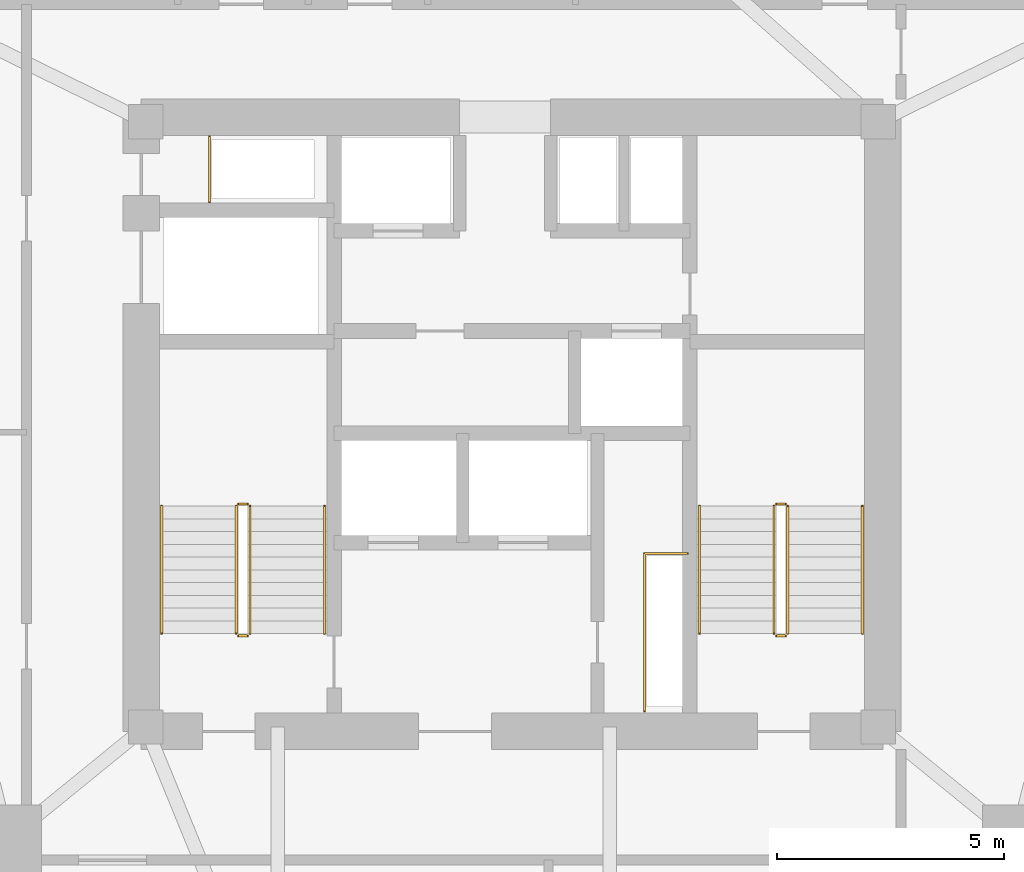
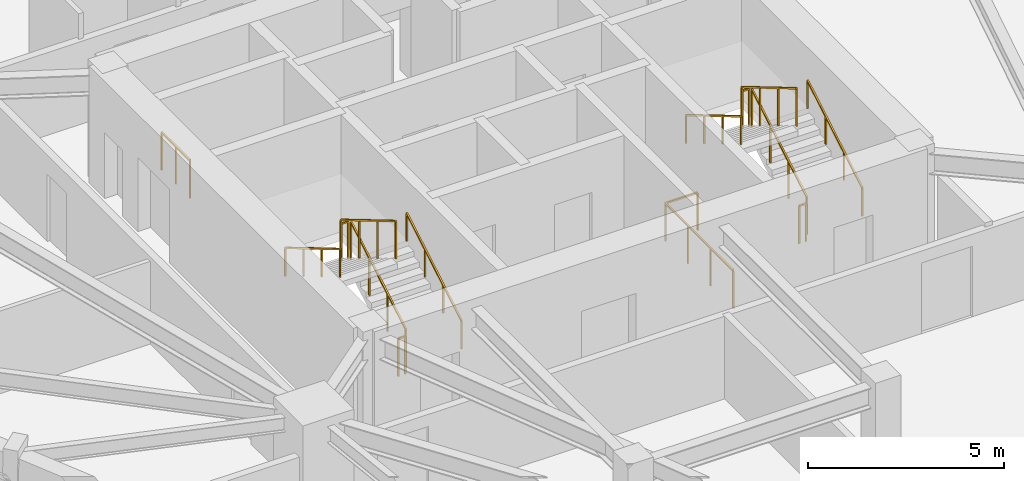
# One storey, part 14 of 14: 14 railings.
"""IFC4 building model written with IfcOpenShell, lengths in metres."""

from ifc_helpers import new_model, si_unit, direction, frame, origin, origin_2d, place, context, subcontext, project, spatial, rectangle, extrude, material, type_object, element, save


model = new_model("IFC4")

# Units and contexts
model_context = context("Model", 3, precision=1e-05, world=origin(), true_north=direction((0.0, 1.0)))
body_context = subcontext(model_context, "Body", "Model", "MODEL_VIEW")
ifc_project = project(units=[si_unit("LENGTHUNIT", "METRE"), si_unit("AREAUNIT", "SQUARE_METRE"), si_unit("VOLUMEUNIT", "CUBIC_METRE"), si_unit("PLANEANGLEUNIT", "RADIAN"), si_unit("MASSUNIT", "GRAM", prefix="KILO")], contexts=[model_context])

# Site, building, storey
site_placement = place(None, origin())
site = spatial("IfcSite", under=ifc_project, at=site_placement, CompositionType="ELEMENT")
building_placement = place(site_placement, origin())
building = spatial("IfcBuilding", under=site, at=building_placement, Name="Talyreon Biosciences Tower", CompositionType="ELEMENT")
storey_placement = place(building_placement, frame((0.0, 0.0, 138.14990234375)))
storey = spatial("IfcBuildingStorey", under=building, at=storey_placement, Name="L36", CompositionType="ELEMENT", Elevation=138.14990234375)

# Railings
ifc_material_1 = material(Name="Brushed stainless-steel tubular handrail", Category="steel")
railing_type_1 = type_object("IfcRailingType", Name="StairWallHandrail_900", PredefinedType="HANDRAIL", material=ifc_material_1)
railing_1_placement = place(storey_placement, frame((61.8798828125, 63.39990234375, 0.166015625)))
element("IfcRailing", 1, at=railing_1_placement, inside=storey, type_object=railing_type_1, Name="L36 ST-1 stair handrail 1", PredefinedType="HANDRAIL", context=body_context, shape_type="SweptSolid", body=[
    extrude(rectangle(XDim=0.048095703125, YDim=0.048095703125, at=origin_2d()), frame((0.0, 0.0, 0.8759765625), z_axis=(0.0, 0.860306154799, 0.50977771628), x_axis=(-1.0, 0.0, 0.0)), (0.0, 0.0, 1.0), 3.254638671875),
    extrude(rectangle(XDim=0.0419921875, YDim=0.0419921875, at=origin_2d()), origin(), (0.0, 0.0, 1.0), 0.851806640625),
    extrude(rectangle(XDim=0.0419921875, YDim=0.0419921875, at=origin_2d()), frame((0.0, 0.933349609375, 0.552978515625)), (0.0, 0.0, 1.0), 0.851806640625),
    extrude(rectangle(XDim=0.0419921875, YDim=0.0419921875, at=origin_2d()), frame((0.0, 1.86669921875, 1.106201171875)), (0.0, 0.0, 1.0), 0.851806640625),
    extrude(rectangle(XDim=0.0419921875, YDim=0.0419921875, at=origin_2d()), frame((0.0, 2.800048828125, 1.6591796875)), (0.0, 0.0, 1.0), 0.851806640625),
])
railing_2_placement = place(storey_placement, frame((58.300048828125, 66.199951171875, 1.990966796875)))
element("IfcRailing", 2, at=railing_2_placement, inside=storey, type_object=railing_type_1, Name="L36 ST-1 stair handrail 2", PredefinedType="HANDRAIL", context=body_context, shape_type="SweptSolid", body=[
    extrude(rectangle(XDim=0.048095703125, YDim=0.048095703125, at=origin_2d()), frame((0.0, 0.0, 0.8759765625), z_axis=(0.0, -0.860306154799, 0.50977771628), x_axis=(1.0, 0.0, 0.0)), (0.0, 0.0, 1.0), 3.254638671875),
    extrude(rectangle(XDim=0.0419921875, YDim=0.0419921875, at=origin_2d()), origin(), (0.0, 0.0, 1.0), 0.851806640625),
    extrude(rectangle(XDim=0.0419921875, YDim=0.0419921875, at=origin_2d()), frame((0.0, -0.933349609375, 0.552978515625)), (0.0, 0.0, 1.0), 0.851806640625),
    extrude(rectangle(XDim=0.0419921875, YDim=0.0419921875, at=origin_2d()), frame((0.0, -1.86669921875, 1.106201171875)), (0.0, 0.0, 1.0), 0.851806640625),
    extrude(rectangle(XDim=0.0419921875, YDim=0.0419921875, at=origin_2d()), frame((0.0, -2.800048828125, 1.6591796875)), (0.0, 0.0, 1.0), 0.851806640625),
])
railing_3_placement = place(storey_placement, frame((73.699951171875, 63.39990234375, 0.166015625)))
element("IfcRailing", 3, at=railing_3_placement, inside=storey, type_object=railing_type_1, Name="L36 ST-2 stair handrail 1", PredefinedType="HANDRAIL", context=body_context, shape_type="SweptSolid", body=[
    extrude(rectangle(XDim=0.048095703125, YDim=0.048095703125, at=origin_2d()), frame((0.0, 0.0, 0.8759765625), z_axis=(0.0, 0.860306154799, 0.50977771628), x_axis=(-1.0, 0.0, 0.0)), (0.0, 0.0, 1.0), 3.254638671875),
    extrude(rectangle(XDim=0.0419921875, YDim=0.0419921875, at=origin_2d()), origin(), (0.0, 0.0, 1.0), 0.851806640625),
    extrude(rectangle(XDim=0.0419921875, YDim=0.0419921875, at=origin_2d()), frame((0.0, 0.933349609375, 0.552978515625)), (0.0, 0.0, 1.0), 0.851806640625),
    extrude(rectangle(XDim=0.0419921875, YDim=0.0419921875, at=origin_2d()), frame((0.0, 1.86669921875, 1.106201171875)), (0.0, 0.0, 1.0), 0.851806640625),
    extrude(rectangle(XDim=0.0419921875, YDim=0.0419921875, at=origin_2d()), frame((0.0, 2.800048828125, 1.6591796875)), (0.0, 0.0, 1.0), 0.851806640625),
])
railing_4_placement = place(storey_placement, frame((70.1201171875, 66.199951171875, 1.990966796875)))
element("IfcRailing", 4, at=railing_4_placement, inside=storey, type_object=railing_type_1, Name="L36 ST-2 stair handrail 2", PredefinedType="HANDRAIL", context=body_context, shape_type="SweptSolid", body=[
    extrude(rectangle(XDim=0.048095703125, YDim=0.048095703125, at=origin_2d()), frame((0.0, 0.0, 0.8759765625), z_axis=(0.0, -0.860306154799, 0.50977771628), x_axis=(1.0, 0.0, 0.0)), (0.0, 0.0, 1.0), 3.254638671875),
    extrude(rectangle(XDim=0.0419921875, YDim=0.0419921875, at=origin_2d()), origin(), (0.0, 0.0, 1.0), 0.851806640625),
    extrude(rectangle(XDim=0.0419921875, YDim=0.0419921875, at=origin_2d()), frame((0.0, -0.933349609375, 0.552978515625)), (0.0, 0.0, 1.0), 0.851806640625),
    extrude(rectangle(XDim=0.0419921875, YDim=0.0419921875, at=origin_2d()), frame((0.0, -1.86669921875, 1.106201171875)), (0.0, 0.0, 1.0), 0.851806640625),
    extrude(rectangle(XDim=0.0419921875, YDim=0.0419921875, at=origin_2d()), frame((0.0, -2.800048828125, 1.6591796875)), (0.0, 0.0, 1.0), 0.851806640625),
])
ifc_material_2 = material(Name="Painted galvanised steel post-and-rail balustrade", Category="steel")
railing_type_2 = type_object("IfcRailingType", Name="TerraceStairGuard_1200", PredefinedType="GUARDRAIL", material=ifc_material_2)
railing_5_placement = place(storey_placement, frame((60.239990234375, 63.39990234375, 0.166015625)))
element("IfcRailing", 5, at=railing_5_placement, inside=storey, type_object=railing_type_2, Name="L36 ST-1 stair guard 1", PredefinedType="GUARDRAIL", context=body_context, shape_type="SweptSolid", body=[
    extrude(rectangle(XDim=0.048095703125, YDim=0.048095703125, at=origin_2d()), frame((0.0, 0.0, 1.17578125), z_axis=(0.0, 0.860306154799, 0.50977771628), x_axis=(-1.0, 0.0, 0.0)), (0.0, 0.0, 1.0), 3.254638671875),
    extrude(rectangle(XDim=0.0419921875, YDim=0.0419921875, at=origin_2d()), origin(), (0.0, 0.0, 1.0), 1.15185546875),
    extrude(rectangle(XDim=0.0419921875, YDim=0.0419921875, at=origin_2d()), frame((0.0, 0.933349609375, 0.552978515625)), (0.0, 0.0, 1.0), 1.15185546875),
    extrude(rectangle(XDim=0.0419921875, YDim=0.0419921875, at=origin_2d()), frame((0.0, 1.86669921875, 1.106201171875)), (0.0, 0.0, 1.0), 1.15185546875),
    extrude(rectangle(XDim=0.0419921875, YDim=0.0419921875, at=origin_2d()), frame((0.0, 2.800048828125, 1.6591796875)), (0.0, 0.0, 1.0), 1.15185546875),
])
railing_6_placement = place(storey_placement, frame((60.18994140625, 66.25, 1.8251953125)))
element("IfcRailing", 6, at=railing_6_placement, inside=storey, type_object=railing_type_2, Name="L36 ST-1 stair guard 2", PredefinedType="GUARDRAIL", context=body_context, shape_type="SweptSolid", body=[
    extrude(rectangle(XDim=0.048095703125, YDim=0.048095703125, at=origin_2d()), frame((0.0, 0.0, 1.17578125), z_axis=(-1.0, 0.0, 0.0), x_axis=(0.0, -1.0, 0.0)), (0.0, 0.0, 1.0), 0.199951171875),
    extrude(rectangle(XDim=0.0419921875, YDim=0.0419921875, at=origin_2d()), origin(), (0.0, 0.0, 1.0), 1.15185546875),
    extrude(rectangle(XDim=0.0419921875, YDim=0.0419921875, at=origin_2d()), frame((-0.199951171875, 0.0, 0.0)), (0.0, 0.0, 1.0), 1.15185546875),
])
railing_7_placement = place(storey_placement, frame((59.93994140625, 66.199951171875, 1.990966796875)))
element("IfcRailing", 7, at=railing_7_placement, inside=storey, type_object=railing_type_2, Name="L36 ST-1 stair guard 3", PredefinedType="GUARDRAIL", context=body_context, shape_type="SweptSolid", body=[
    extrude(rectangle(XDim=0.048095703125, YDim=0.048095703125, at=origin_2d()), frame((0.0, 0.0, 1.17578125), z_axis=(0.0, -0.860306154799, 0.50977771628), x_axis=(1.0, 0.0, 0.0)), (0.0, 0.0, 1.0), 3.254638671875),
    extrude(rectangle(XDim=0.0419921875, YDim=0.0419921875, at=origin_2d()), origin(), (0.0, 0.0, 1.0), 1.15185546875),
    extrude(rectangle(XDim=0.0419921875, YDim=0.0419921875, at=origin_2d()), frame((0.0, -0.933349609375, 0.552978515625)), (0.0, 0.0, 1.0), 1.15185546875),
    extrude(rectangle(XDim=0.0419921875, YDim=0.0419921875, at=origin_2d()), frame((0.0, -1.86669921875, 1.106201171875)), (0.0, 0.0, 1.0), 1.15185546875),
    extrude(rectangle(XDim=0.0419921875, YDim=0.0419921875, at=origin_2d()), frame((0.0, -2.800048828125, 1.6591796875)), (0.0, 0.0, 1.0), 1.15185546875),
])
railing_8_placement = place(storey_placement, frame((60.18994140625, 63.35009765625, 0.0)))
element("IfcRailing", 8, at=railing_8_placement, inside=storey, type_object=railing_type_2, Name="L36 ST-1 stair guard 4", PredefinedType="GUARDRAIL", context=body_context, shape_type="SweptSolid", body=[
    extrude(rectangle(XDim=0.048095703125, YDim=0.048095703125, at=origin_2d()), frame((0.0, 0.0, 1.17578125), z_axis=(-1.0, 0.0, 0.0), x_axis=(0.0, -1.0, 0.0)), (0.0, 0.0, 1.0), 0.199951171875),
    extrude(rectangle(XDim=0.0419921875, YDim=0.0419921875, at=origin_2d()), origin(), (0.0, 0.0, 1.0), 1.15185546875),
    extrude(rectangle(XDim=0.0419921875, YDim=0.0419921875, at=origin_2d()), frame((-0.199951171875, 0.0, 0.0)), (0.0, 0.0, 1.0), 1.15185546875),
])
railing_9_placement = place(storey_placement, frame((72.06005859375, 63.39990234375, 0.166015625)))
element("IfcRailing", 9, at=railing_9_placement, inside=storey, type_object=railing_type_2, Name="L36 ST-2 stair guard 1", PredefinedType="GUARDRAIL", context=body_context, shape_type="SweptSolid", body=[
    extrude(rectangle(XDim=0.048095703125, YDim=0.048095703125, at=origin_2d()), frame((0.0, 0.0, 1.17578125), z_axis=(0.0, 0.860306154799, 0.50977771628), x_axis=(-1.0, 0.0, 0.0)), (0.0, 0.0, 1.0), 3.254638671875),
    extrude(rectangle(XDim=0.0419921875, YDim=0.0419921875, at=origin_2d()), origin(), (0.0, 0.0, 1.0), 1.15185546875),
    extrude(rectangle(XDim=0.0419921875, YDim=0.0419921875, at=origin_2d()), frame((0.0, 0.933349609375, 0.552978515625)), (0.0, 0.0, 1.0), 1.15185546875),
    extrude(rectangle(XDim=0.0419921875, YDim=0.0419921875, at=origin_2d()), frame((0.0, 1.86669921875, 1.106201171875)), (0.0, 0.0, 1.0), 1.15185546875),
    extrude(rectangle(XDim=0.0419921875, YDim=0.0419921875, at=origin_2d()), frame((0.0, 2.800048828125, 1.6591796875)), (0.0, 0.0, 1.0), 1.15185546875),
])
railing_10_placement = place(storey_placement, frame((72.010009765625, 66.25, 1.8251953125)))
element("IfcRailing", 10, at=railing_10_placement, inside=storey, type_object=railing_type_2, Name="L36 ST-2 stair guard 2", PredefinedType="GUARDRAIL", context=body_context, shape_type="SweptSolid", body=[
    extrude(rectangle(XDim=0.048095703125, YDim=0.048095703125, at=origin_2d()), frame((0.0, 0.0, 1.17578125), z_axis=(-1.0, 0.0, 0.0), x_axis=(0.0, -1.0, 0.0)), (0.0, 0.0, 1.0), 0.199951171875),
    extrude(rectangle(XDim=0.0419921875, YDim=0.0419921875, at=origin_2d()), origin(), (0.0, 0.0, 1.0), 1.15185546875),
    extrude(rectangle(XDim=0.0419921875, YDim=0.0419921875, at=origin_2d()), frame((-0.199951171875, 0.0, 0.0)), (0.0, 0.0, 1.0), 1.15185546875),
])
railing_11_placement = place(storey_placement, frame((71.760009765625, 66.199951171875, 1.990966796875)))
element("IfcRailing", 11, at=railing_11_placement, inside=storey, type_object=railing_type_2, Name="L36 ST-2 stair guard 3", PredefinedType="GUARDRAIL", context=body_context, shape_type="SweptSolid", body=[
    extrude(rectangle(XDim=0.048095703125, YDim=0.048095703125, at=origin_2d()), frame((0.0, 0.0, 1.17578125), z_axis=(0.0, -0.860306154799, 0.50977771628), x_axis=(1.0, 0.0, 0.0)), (0.0, 0.0, 1.0), 3.254638671875),
    extrude(rectangle(XDim=0.0419921875, YDim=0.0419921875, at=origin_2d()), origin(), (0.0, 0.0, 1.0), 1.15185546875),
    extrude(rectangle(XDim=0.0419921875, YDim=0.0419921875, at=origin_2d()), frame((0.0, -0.933349609375, 0.552978515625)), (0.0, 0.0, 1.0), 1.15185546875),
    extrude(rectangle(XDim=0.0419921875, YDim=0.0419921875, at=origin_2d()), frame((0.0, -1.86669921875, 1.106201171875)), (0.0, 0.0, 1.0), 1.15185546875),
    extrude(rectangle(XDim=0.0419921875, YDim=0.0419921875, at=origin_2d()), frame((0.0, -2.800048828125, 1.6591796875)), (0.0, 0.0, 1.0), 1.15185546875),
])
railing_12_placement = place(storey_placement, frame((72.010009765625, 63.35009765625, 0.0)))
element("IfcRailing", 12, at=railing_12_placement, inside=storey, type_object=railing_type_2, Name="L36 ST-2 stair guard 4", PredefinedType="GUARDRAIL", context=body_context, shape_type="SweptSolid", body=[
    extrude(rectangle(XDim=0.048095703125, YDim=0.048095703125, at=origin_2d()), frame((0.0, 0.0, 1.17578125), z_axis=(-1.0, 0.0, 0.0), x_axis=(0.0, -1.0, 0.0)), (0.0, 0.0, 1.0), 0.199951171875),
    extrude(rectangle(XDim=0.0419921875, YDim=0.0419921875, at=origin_2d()), origin(), (0.0, 0.0, 1.0), 1.15185546875),
    extrude(rectangle(XDim=0.0419921875, YDim=0.0419921875, at=origin_2d()), frame((-0.199951171875, 0.0, 0.0)), (0.0, 0.0, 1.0), 1.15185546875),
])
railing_13_placement = place(storey_placement, frame((59.35009765625, 72.8798828125, 0.0)))
element("IfcRailing", 13, at=railing_13_placement, inside=storey, type_object=railing_type_2, Name="L36 Exhaust Riser Maintenance Guardrail", PredefinedType="GUARDRAIL", context=body_context, shape_type="SweptSolid", body=[
    extrude(rectangle(XDim=0.048095703125, YDim=0.048095703125, at=origin_2d()), frame((0.0, 0.0, 1.17578125), z_axis=(0.0, 1.0, 0.0), x_axis=(-1.0, 0.0, 0.0)), (0.0, 0.0, 1.0), 1.4501953125),
    extrude(rectangle(XDim=0.0419921875, YDim=0.0419921875, at=origin_2d()), origin(), (0.0, 0.0, 1.0), 1.15185546875),
    extrude(rectangle(XDim=0.0419921875, YDim=0.0419921875, at=origin_2d()), frame((0.0, 0.72509765625, 0.0)), (0.0, 0.0, 1.0), 1.15185546875),
    extrude(rectangle(XDim=0.0419921875, YDim=0.0419921875, at=origin_2d()), frame((0.0, 1.4501953125, 0.0)), (0.0, 0.0, 1.0), 1.15185546875),
])
railing_14_placement = place(storey_placement, frame((68.909912109375, 61.699951171875, 0.0)))
element("IfcRailing", 14, at=railing_14_placement, inside=storey, type_object=railing_type_2, Name="L36 Electrical Riser Maintenance Guardrail", PredefinedType="GUARDRAIL", context=body_context, shape_type="SweptSolid", body=[
    extrude(rectangle(XDim=0.048095703125, YDim=0.048095703125, at=origin_2d()), frame((0.0, 0.0, 1.17578125), z_axis=(0.0, 1.0, 0.0), x_axis=(-1.0, 0.0, 0.0)), (0.0, 0.0, 1.0), 3.4599609375),
    extrude(rectangle(XDim=0.048095703125, YDim=0.048095703125, at=origin_2d()), frame((0.0, 3.4599609375, 1.17578125), z_axis=(1.0, 0.0, 0.0), x_axis=(0.0, 1.0, 0.0)), (0.0, 0.0, 1.0), 0.9501953125),
    extrude(rectangle(XDim=0.0419921875, YDim=0.0419921875, at=origin_2d()), origin(), (0.0, 0.0, 1.0), 1.15185546875),
    extrude(rectangle(XDim=0.0419921875, YDim=0.0419921875, at=origin_2d()), frame((0.0, 1.1533203125, 0.0)), (0.0, 0.0, 1.0), 1.15185546875),
    extrude(rectangle(XDim=0.0419921875, YDim=0.0419921875, at=origin_2d()), frame((0.0, 2.306640625, 0.0)), (0.0, 0.0, 1.0), 1.15185546875),
    extrude(rectangle(XDim=0.0419921875, YDim=0.0419921875, at=origin_2d()), frame((0.0, 3.4599609375, 0.0)), (0.0, 0.0, 1.0), 1.15185546875),
    extrude(rectangle(XDim=0.0419921875, YDim=0.0419921875, at=origin_2d()), frame((0.9501953125, 3.4599609375, 0.0)), (0.0, 0.0, 1.0), 1.15185546875),
])

save(model, "model.ifc")
